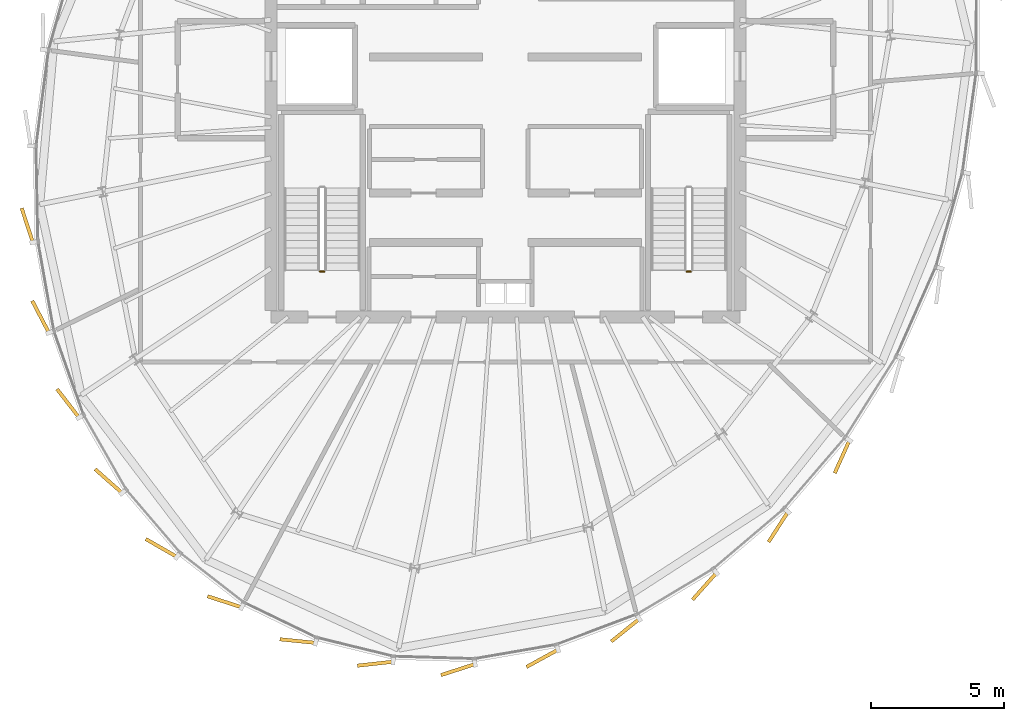
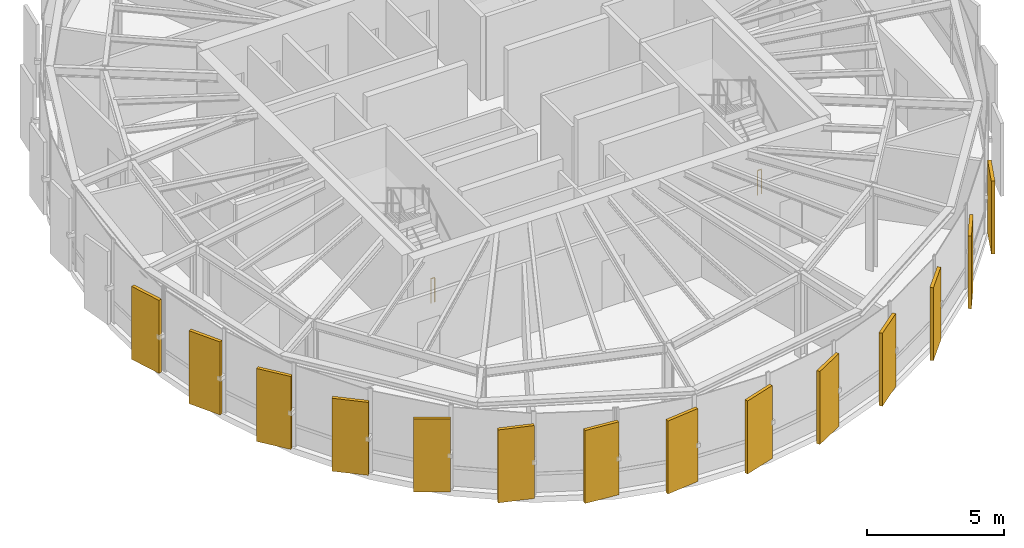
# One storey, part 24 of 26: 14 coverings, 2 railings.
"""IFC4 building model written with IfcOpenShell, lengths in metres."""

from ifc_helpers import new_model, si_unit, direction, frame, origin, origin_2d, place, context, subcontext, project, spatial, rectangle, circle, extrude, source, transform, mapped, material, layer, layer_set, type_object, element, save


model = new_model("IFC4")

# Units and contexts
model_context = context("Model", 3, precision=1e-05, world=origin(), true_north=direction((0.0, 1.0)))
body_context = subcontext(model_context, "Body", "Model", "MODEL_VIEW")
ifc_project = project(units=[si_unit("LENGTHUNIT", "METRE"), si_unit("AREAUNIT", "SQUARE_METRE"), si_unit("VOLUMEUNIT", "CUBIC_METRE"), si_unit("PLANEANGLEUNIT", "RADIAN"), si_unit("MASSUNIT", "GRAM", prefix="KILO"), si_unit("THERMODYNAMICTEMPERATUREUNIT", "KELVIN")], contexts=[model_context])

# Site, building, storey
site_placement = place(None, origin())
site = spatial("IfcSite", under=ifc_project, at=site_placement, CompositionType="ELEMENT")
building_placement = place(site_placement, origin())
building = spatial("IfcBuilding", under=site, at=building_placement, Name="Kethvar Cultural Tower", CompositionType="ELEMENT")
storey_placement = place(building_placement, frame((0.0, 0.0, 316.300048828125)))
storey = spatial("IfcBuildingStorey", under=building, at=storey_placement, Name="L84", CompositionType="ELEMENT", Elevation=316.300048828125)

# Railings
ifc_material_1 = material(Name="Steel S355J2", Category="steel")
railing_type = type_object("IfcRailingType", Name="RL-STAIR-GUARD", PredefinedType="BALUSTRADE", material=ifc_material_1)
for number, where, name in (
    (1, (40.0, 21.800048828125, 0.0), "L84 ST-01 stair guard 4"),
    (2, (53.760009765625, 21.800048828125, 0.0), "L84 ST-02 stair guard 4"),
):
    element("IfcRailing", number, at=place(storey_placement, frame(where)), inside=storey, type_object=railing_type, Name=name, PredefinedType="BALUSTRADE", context=body_context, shape_type="SweptSolid", body=[
        extrude(circle(Radius=0.02392578125, at=origin_2d()), frame((0.0, 0.0, 1.09619140625), z_axis=(-1.0, 0.0, 0.0), x_axis=(0.0, -1.0, 0.0)), (0.0, 0.0, 1.0), 0.159912109375),
        extrude(circle(Radius=0.02099609375, at=origin_2d()), origin(), (0.0, 0.0, 1.0), 1.072021484375),
        extrude(circle(Radius=0.02099609375, at=origin_2d()), frame((-0.159912109375, 0.0, 0.0)), (0.0, 0.0, 1.0), 1.072021484375),
    ])

# Coverings
ifc_material_2 = material(Name="Extruded Architectural Terracotta", Category="masonry")
ifc_layer = layer(ifc_material_2, 0.135009765625, Name="Extruded Architectural Terracotta", Category="masonry")
ifc_layer_set = layer_set([ifc_layer], Name="Extruded Architectural Terracotta (135 mm)")
covering_type = type_object("IfcCoveringType", Name="Terracotta Facade Fin FIN-03", PredefinedType="CLADDING", material=ifc_layer_set)
shared_shape = source(origin(), body_context, "Body", "SweptSolid", [
    extrude(rectangle(XDim=1.35009765625, YDim=0.135009765625, at=origin_2d()), origin(), (0.0, 0.0, 1.0), 3.25),
])
for number, where, z_axis, x_axis, name in (
    (3, (28.856689453125, 23.53564453125, 0.02001953125), (0.0, 0.0, 1.0), (-0.31001276881, 0.950732393039, 0.0), "L84 Vertical Terracotta Fin 3.1"),
    (4, (29.356201171875, 20.1015625, 0.02001953125), (0.0, 0.0, 1.0), (-0.462522500293, 0.8866075438, 0.0), "L84 Vertical Terracotta Fin 3.2"),
    (5, (30.38623046875, 16.856201171875, 0.02001953125), (0.0, 0.0, 1.0), (-0.611527040186, 0.791223532967, 0.0), "L84 Vertical Terracotta Fin 3.3"),
    (6, (31.910400390625, 13.935791015625, 0.02001953125), (0.0, 0.0, 1.0), (-0.74976470474, 0.661704531892, 0.0), "L84 Vertical Terracotta Fin 3.4"),
    (7, (33.88671875, 11.427001953125, 0.02001953125), (0.0, 0.0, 1.0), (-0.866896748936, 0.498487739754, 0.0), "L84 Vertical Terracotta Fin 3.5"),
    (8, (36.2607421875, 9.407470703125, 0.02001953125), (0.0, 0.0, 1.0), (-0.951648033235, 0.307190528564, 0.0), "L84 Vertical Terracotta Fin 3.6"),
    (9, (39.00537109375, 7.932861328125, 0.02001953125), (0.0, 0.0, 1.0), (-0.995038220239, 0.099493418189, 0.0), "L84 Vertical Terracotta Fin 4.1"),
    (10, (41.915283203125, 7.083740234375, 0.02001953125), (0.0, 0.0, 1.0), (-0.993960955455, -0.109734311091, 0.0), "L84 Vertical Terracotta Fin 4.2"),
    (11, (45.021484375, 6.861572265625, 0.02001953125), (0.0, 0.0, 1.0), (-0.951969200546, -0.306193796821, 0.0), "L84 Vertical Terracotta Fin 4.3"),
    (12, (48.18310546875, 7.28466796875, 0.02001953125), (0.0, 0.0, 1.0), (-0.877146163706, -0.480223497443, 0.0), "L84 Vertical Terracotta Fin 4.4"),
    (13, (51.2998046875, 8.339599609375, 0.02001953125), (0.0, 0.0, 1.0), (-0.77879085327, -0.627283673359, 0.0), "L84 Vertical Terracotta Fin 4.5"),
    (14, (54.273681640625, 9.990478515625, 0.02001953125), (0.0, 0.0, 1.0), (-0.6647089408, -0.747102418695, 0.0), "L84 Vertical Terracotta Fin 4.6"),
    (15, (57.040771484375, 12.2158203125, 0.02001953125), (0.0, 0.0, 1.0), (-0.540534030235, -0.841322151234, 0.0), "L84 Vertical Terracotta Fin 5.1"),
    (16, (59.435791015625, 14.849609375, 0.02001953125), (0.0, 0.0, 1.0), (-0.409763832607, -0.912191647346, 0.0), "L84 Vertical Terracotta Fin 5.2"),
):
    element("IfcCovering", number, at=place(storey_placement, frame(where, z_axis=z_axis, x_axis=x_axis)), inside=storey, type_object=covering_type, Name=name, PredefinedType="CLADDING", context=body_context, shape_type="MappedRepresentation", body=[
        mapped(shared_shape, transform((0.0, 0.0, 0.0), scale=1.0)),
    ])

save(model, "model.ifc")
